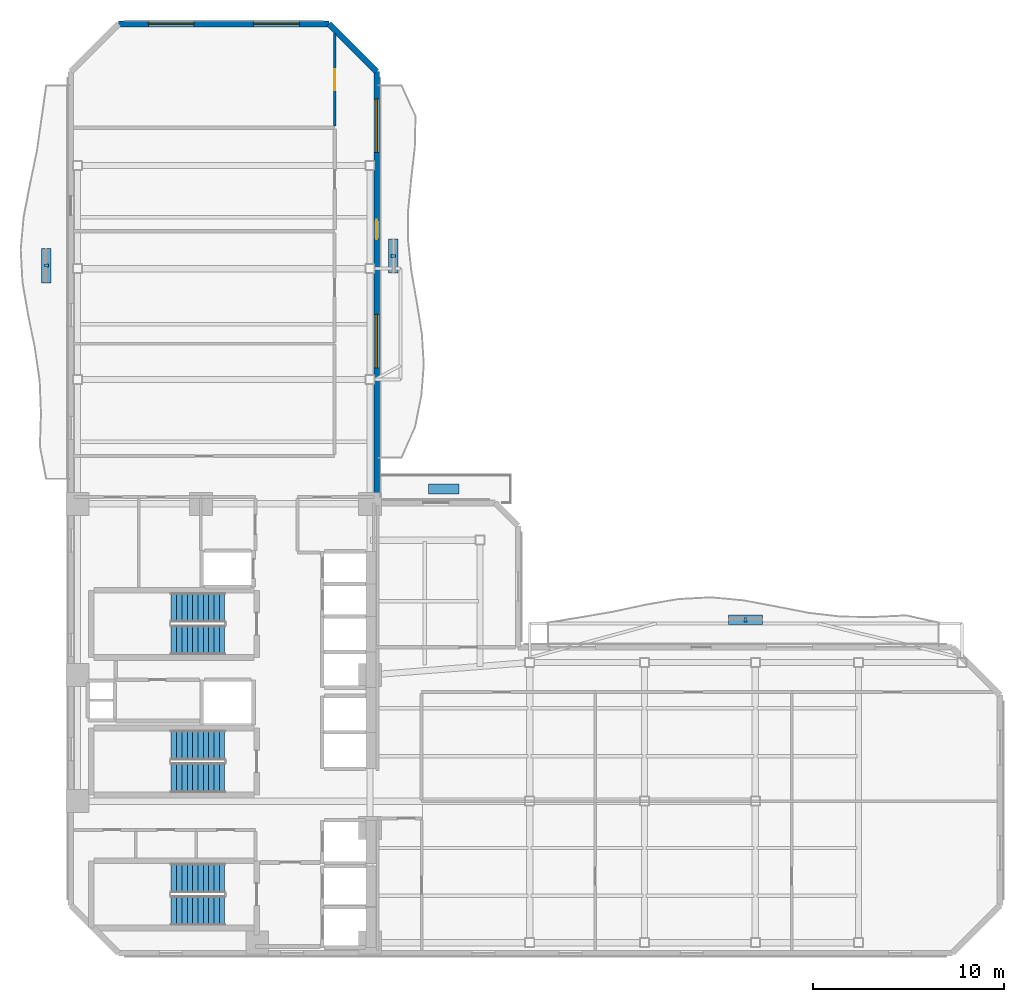
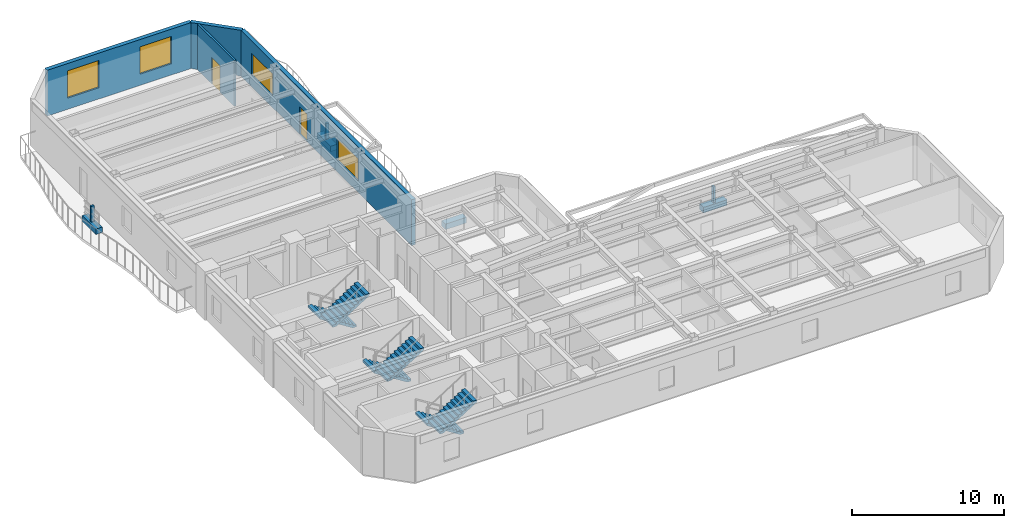
# One storey, part 6 of 12: 7 discrete accessories, 6 stair flights, 4 walls, 4 windows, 2 doors, 6 openings, 3 elements without a shape of their own.
"""IFC4 building model written with IfcOpenShell, lengths in metres."""

from ifc_helpers import new_model, si_unit, direction, frame, frame_2d, origin, origin_2d, place, context, subcontext, project, spatial, polyline, rectangle, outline, extrude, material, layer, layer_set, type_object, element, fill, aggregate, save


model = new_model("IFC4")

# Units and contexts
model_context = context("Model", 3, precision=1e-05, world=origin(), true_north=direction((0.0, 1.0)))
body_context = subcontext(model_context, "Body", "Model", "MODEL_VIEW")
ifc_project = project(units=[si_unit("LENGTHUNIT", "METRE"), si_unit("AREAUNIT", "SQUARE_METRE"), si_unit("VOLUMEUNIT", "CUBIC_METRE"), si_unit("PLANEANGLEUNIT", "RADIAN"), si_unit("MASSUNIT", "GRAM", prefix="KILO")], contexts=[model_context])

# Site, building, storey
site_placement = place(None, origin())
site = spatial("IfcSite", under=ifc_project, at=site_placement, CompositionType="ELEMENT")
building_placement = place(site_placement, origin())
building = spatial("IfcBuilding", under=site, at=building_placement, Name="Mawjaban Terraces University", CompositionType="ELEMENT")
storey_placement = place(building_placement, frame((0.0, 0.0, 150.199951171875)))
storey = spatial("IfcBuildingStorey", under=building, at=storey_placement, Name="L36", CompositionType="ELEMENT", Elevation=150.199951171875)

# Wall, openings, door, windows
ifc_material_1 = material(Name="Insulated terracotta rainscreen on concrete backup C40/50", Category="masonry")
ifc_layer_1 = layer(ifc_material_1, 0.300048828125)
ifc_layer_set_1 = layer_set([ifc_layer_1], Name="Insulated terracotta rainscreen on concrete backup C40/50")
wall_type_1 = type_object("IfcWallType", Name="ExtTerracottaWall_300", PredefinedType="SOLIDWALL", material=ifc_layer_set_1)
wall_1_placement = place(storey_placement, frame((38.0, 23.550048828125, 0.0), z_axis=(0.0, 0.0, 1.0), x_axis=(0.0, 1.0, 0.0)))
wall_1 = element("IfcWall", 1, at=wall_1_placement, inside=storey, type_object=wall_type_1, Name="L36 Exterior Terracotta Wall 9", PredefinedType="SOLIDWALL", context=body_context, shape_type="SweptSolid", body=[
    extrude(rectangle(XDim=22.550048828125, YDim=0.300048828125, at=frame_2d((11.27490234375, 0.0))), origin(), (0.0, 0.0, 1.0), 3.68994140625),
])
opening_1_placement = place(wall_1_placement, frame((13.800048828125, 0.0, 0.0)))
opening_1 = element("IfcOpeningElement", 2, at=opening_1_placement, cuts=wall_1, Name="Opening BD-100", PredefinedType="OPENING", context=body_context, shape_type="SweptSolid", body=[
    extrude(rectangle(XDim=1.0, YDim=2.199951171875, at=frame_2d((0.5, 1.10009765625))), frame((0.0, 0.159912109375, 0.0), z_axis=(0.0, -1.0, 0.0), x_axis=(1.0, 0.0, 0.0)), (0.0, 0.0, 1.0), 0.320068359375),
])
opening_2_placement = place(wall_1_placement, frame((7.055908203125, 0.0, 0.89990234375)))
opening_2 = element("IfcOpeningElement", 3, at=opening_2_placement, cuts=wall_1, Name="Opening W-09", PredefinedType="OPENING", context=body_context, shape_type="SweptSolid", body=[
    extrude(rectangle(XDim=2.800048828125, YDim=1.800048828125, at=frame_2d((1.39990234375, 0.89990234375))), frame((0.0, 0.159912109375, 0.0), z_axis=(0.0, -1.0, 0.0), x_axis=(1.0, 0.0, 0.0)), (0.0, 0.0, 1.0), 0.320068359375),
])
opening_3_placement = place(wall_1_placement, frame((18.3310546875, 0.0, 0.89990234375)))
opening_3 = element("IfcOpeningElement", 4, at=opening_3_placement, cuts=wall_1, Name="Opening W-09", PredefinedType="OPENING", context=body_context, shape_type="SweptSolid", body=[
    extrude(rectangle(XDim=2.800048828125, YDim=1.800048828125, at=frame_2d((1.39990234375, 0.89990234375))), frame((0.0, 0.159912109375, 0.0), z_axis=(0.0, -1.0, 0.0), x_axis=(1.0, 0.0, 0.0)), (0.0, 0.0, 1.0), 0.320068359375),
])
ifc_material_2 = material(Name="Thermally broken anodised aluminium and laminated safety glass", Category="aluminium")
door_type_1 = type_object("IfcDoorType", Name="BalconyGlazedDoor_1000x2200", OperationType="NOTDEFINED", PredefinedType="DOOR", material=ifc_material_2)
door_1_placement = place(opening_1_placement, origin())
door_1 = element("IfcDoor", 5, at=door_1_placement, inside=storey, type_object=door_type_1, Name="L36 Balcony Access Door inner_east", OperationType="SINGLE_SWING_LEFT", OverallHeight=2.199951171875, OverallWidth=1.0, PredefinedType="DOOR", context=body_context, shape_type="SweptSolid", body=[
    extrude(rectangle(XDim=1.0, YDim=2.199951171875, at=frame_2d((0.5, 1.10009765625))), frame((0.0, 0.02490234375, 0.0), z_axis=(0.0, -1.0, 0.0), x_axis=(1.0, 0.0, 0.0)), (0.0, 0.0, 1.0), 0.050048828125),
])
fill(opening_1, door_1)
ifc_material_3 = material(Name="Low-E solar-control double glazing in thermally broken aluminium frame", Category="aluminium")
window_type_1 = type_object("IfcWindowType", Name="Win_2800x1800", PartitioningType="SINGLE_PANEL", PredefinedType="WINDOW", material=ifc_material_3)
window_1_placement = place(opening_2_placement, origin())
window_1 = element("IfcWindow", 6, at=window_1_placement, inside=storey, type_object=window_type_1, Name="L36 Facade Window 9.2", OverallHeight=1.800048828125, OverallWidth=2.800048828125, PartitioningType="SINGLE_PANEL", PredefinedType="WINDOW", context=body_context, shape_type="SweptSolid", body=[
    extrude(rectangle(XDim=2.800048828125, YDim=1.800048828125, at=frame_2d((1.39990234375, 0.89990234375))), frame((0.0, 0.030029296875, 0.0), z_axis=(0.0, -1.0, 0.0), x_axis=(1.0, 0.0, 0.0)), (0.0, 0.0, 1.0), 0.06005859375),
])
fill(opening_2, window_1)
window_2_placement = place(opening_3_placement, origin())
window_2 = element("IfcWindow", 7, at=window_2_placement, inside=storey, type_object=window_type_1, Name="L36 Facade Window 9.4", OverallHeight=1.800048828125, OverallWidth=2.800048828125, PartitioningType="SINGLE_PANEL", PredefinedType="WINDOW", context=body_context, shape_type="SweptSolid", body=[
    extrude(rectangle(XDim=2.800048828125, YDim=1.800048828125, at=frame_2d((1.39990234375, 0.89990234375))), frame((0.0, 0.030029296875, 0.0), z_axis=(0.0, -1.0, 0.0), x_axis=(1.0, 0.0, 0.0)), (0.0, 0.0, 1.0), 0.06005859375),
])
fill(opening_3, window_2)

# Wall
wall_2_placement = place(storey_placement, frame((38.0, 46.10009765625, 0.0), z_axis=(0.0, 0.0, 1.0), x_axis=(-0.707106781187, 0.707106781187, 0.0)))
element("IfcWall", 8, at=wall_2_placement, inside=storey, type_object=wall_type_1, Name="L36 Exterior Terracotta Wall 10", PredefinedType="SOLIDWALL", context=body_context, shape_type="SweptSolid", body=[
    extrude(rectangle(XDim=3.53564453125, YDim=0.300048828125, at=frame_2d((1.767822265625, 0.0))), origin(), (0.0, 0.0, 1.0), 3.68994140625),
])

# Wall, openings, windows
wall_3_placement = place(storey_placement, frame((35.5, 48.60009765625, 0.0), z_axis=(0.0, 0.0, 1.0), x_axis=(-1.0, 0.0, 0.0)))
wall_3 = element("IfcWall", 9, at=wall_3_placement, inside=storey, type_object=wall_type_1, Name="L36 Exterior Terracotta Wall 11", PredefinedType="SOLIDWALL", context=body_context, shape_type="SweptSolid", body=[
    extrude(rectangle(XDim=11.0, YDim=0.300048828125, at=frame_2d((5.5, 0.0))), origin(), (0.0, 0.0, 1.0), 3.68994140625),
])
opening_4_placement = place(wall_3_placement, frame((1.550048828125, 0.0, 0.89990234375)))
opening_4 = element("IfcOpeningElement", 10, at=opening_4_placement, cuts=wall_3, Name="Opening W-11", PredefinedType="OPENING", context=body_context, shape_type="SweptSolid", body=[
    extrude(rectangle(XDim=2.39990234375, YDim=2.199951171875, at=frame_2d((1.199951171875, 1.10009765625))), frame((0.0, 0.159912109375, 0.0), z_axis=(0.0, -1.0, 0.0), x_axis=(1.0, 0.0, 0.0)), (0.0, 0.0, 1.0), 0.320068359375),
])
opening_5_placement = place(wall_3_placement, frame((7.050048828125, 0.0, 0.89990234375)))
opening_5 = element("IfcOpeningElement", 11, at=opening_5_placement, cuts=wall_3, Name="Opening W-11", PredefinedType="OPENING", context=body_context, shape_type="SweptSolid", body=[
    extrude(rectangle(XDim=2.39990234375, YDim=2.199951171875, at=frame_2d((1.199951171875, 1.10009765625))), frame((0.0, 0.159912109375, 0.0), z_axis=(0.0, -1.0, 0.0), x_axis=(1.0, 0.0, 0.0)), (0.0, 0.0, 1.0), 0.320068359375),
])
window_type_2 = type_object("IfcWindowType", Name="Win_2400x2200", PartitioningType="SINGLE_PANEL", PredefinedType="WINDOW", material=ifc_material_3)
window_3_placement = place(opening_4_placement, origin())
window_3 = element("IfcWindow", 12, at=window_3_placement, inside=storey, type_object=window_type_2, Name="L36 Facade Window 11.1", OverallHeight=2.199951171875, OverallWidth=2.39990234375, PartitioningType="SINGLE_PANEL", PredefinedType="WINDOW", context=body_context, shape_type="SweptSolid", body=[
    extrude(rectangle(XDim=2.39990234375, YDim=2.199951171875, at=frame_2d((1.199951171875, 1.10009765625))), frame((0.0, 0.030029296875, 0.0), z_axis=(0.0, -1.0, 0.0), x_axis=(1.0, 0.0, 0.0)), (0.0, 0.0, 1.0), 0.06005859375),
])
fill(opening_4, window_3)
window_4_placement = place(opening_5_placement, origin())
window_4 = element("IfcWindow", 13, at=window_4_placement, inside=storey, type_object=window_type_2, Name="L36 Facade Window 11.2", OverallHeight=2.199951171875, OverallWidth=2.39990234375, PartitioningType="SINGLE_PANEL", PredefinedType="WINDOW", context=body_context, shape_type="SweptSolid", body=[
    extrude(rectangle(XDim=2.39990234375, YDim=2.199951171875, at=frame_2d((1.199951171875, 1.10009765625))), frame((0.0, 0.030029296875, 0.0), z_axis=(0.0, -1.0, 0.0), x_axis=(1.0, 0.0, 0.0)), (0.0, 0.0, 1.0), 0.06005859375),
])
fill(opening_5, window_4)

# Wall, opening, door
ifc_material_4 = material(Name="Moisture-resistant gypsum board on steel stud", Category="steel")
ifc_layer_2 = layer(ifc_material_4, 0.14501953125)
ifc_layer_set_2 = layer_set([ifc_layer_2], Name="Moisture-resistant gypsum board on steel stud")
wall_type_2 = type_object("IfcWallType", Name="LabPartition_145", PredefinedType="PARTITIONING", material=ifc_layer_set_2)
wall_4_placement = place(storey_placement, frame((35.800048828125, 48.094970703125, 0.0), z_axis=(0.0, 0.0, 1.0), x_axis=(0.0, -1.0, 0.0)))
wall_4 = element("IfcWall", 14, at=wall_4_placement, inside=storey, type_object=wall_type_2, Name="L36 Inner Terrace Gallery Corridor North Partition 37", PredefinedType="PARTITIONING", context=body_context, shape_type="SweptSolid", body=[
    extrude(rectangle(XDim=4.830078125, YDim=0.14501953125, at=frame_2d((2.4150390625, 0.0))), origin(), (0.0, 0.0, 1.0), 3.68994140625),
])
opening_6_placement = place(wall_4_placement, frame((1.864990234375, 0.0, 0.0)))
opening_6 = element("IfcOpeningElement", 15, at=opening_6_placement, cuts=wall_4, Name="Opening ID-110", PredefinedType="OPENING", context=body_context, shape_type="SweptSolid", body=[
    extrude(rectangle(XDim=1.10009765625, YDim=2.14990234375, at=frame_2d((0.550048828125, 1.074951171875))), frame((0.0, 0.08251953125, 0.0), z_axis=(0.0, -1.0, 0.0), x_axis=(1.0, 0.0, 0.0)), (0.0, 0.0, 1.0), 0.1650390625),
])
ifc_material_5 = material(Name="Powder-coated steel frame and solid acoustic timber leaf", Category="steel")
door_type_2 = type_object("IfcDoorType", Name="LabDoor_1100x2150", OperationType="NOTDEFINED", PredefinedType="DOOR", material=ifc_material_5)
door_2_placement = place(opening_6_placement, origin())
door_2 = element("IfcDoor", 16, at=door_2_placement, inside=storey, type_object=door_type_2, Name="L36 Teaching Laboratory 11 Door", OperationType="SINGLE_SWING_LEFT", OverallHeight=2.14990234375, OverallWidth=1.10009765625, PredefinedType="DOOR", context=body_context, shape_type="SweptSolid", body=[
    extrude(rectangle(XDim=1.10009765625, YDim=2.14990234375, at=frame_2d((0.550048828125, 1.074951171875))), frame((0.0, 0.02490234375, 0.0), z_axis=(0.0, -1.0, 0.0), x_axis=(1.0, 0.0, 0.0)), (0.0, 0.0, 1.0), 0.050048828125),
])
fill(opening_6, door_2)

# Stair, stair flights
ifc_material_6 = material(Name="Concrete C40/50", Category="concrete")
stair_type = type_object("IfcStairType", Name="Stair_Core1550_H39", PredefinedType="HALF_TURN_STAIR", material=ifc_material_6)
stair_1_placement = place(storey_placement, origin())
stair_1 = element("IfcStair", 17, at=stair_1_placement, inside=storey, type_object=stair_type, Name="L36 Core Exit Stair 1", PredefinedType="HALF_TURN_STAIR")
stair_flight_type = type_object("IfcStairFlightType", Name="Flight_Core1550_H39", PredefinedType="STRAIGHT", material=ifc_material_6)
stair_flight_1_placement = place(storey_placement, frame((30.050048828125, 3.925048828125, 0.0), z_axis=(0.0, 0.0, 1.0), x_axis=(-1.0, 0.0, 0.0)))
stair_flight_1 = element("IfcStairFlight", 18, at=stair_flight_1_placement, type_object=stair_flight_type, Name="ST-1 flight 1", NumberOfRisers=11, NumberOfTreads=10, PredefinedType="STRAIGHT", RiserHeight=0.177272727, TreadLength=0.28, context=body_context, shape_type="SweptSolid", body=[
    extrude(outline(polyline([(0.0, 0.0), (0.0, 0.17724609375), (0.280029296875, 0.17724609375), (0.280029296875, 0.3544921875), (0.56005859375, 0.3544921875), (0.56005859375, 0.53173828125), (0.840087890625, 0.53173828125), (0.840087890625, 0.708984375), (1.1201171875, 0.708984375), (1.1201171875, 0.886474609375), (1.39990234375, 0.886474609375), (1.39990234375, 1.063720703125), (1.679931640625, 1.063720703125), (1.679931640625, 1.240966796875), (1.9599609375, 1.240966796875), (1.9599609375, 1.418212890625), (2.239990234375, 1.418212890625), (2.239990234375, 1.595458984375), (2.52001953125, 1.595458984375), (2.52001953125, 1.772705078125), (2.800048828125, 1.772705078125), (2.800048828125, 1.949951171875), (2.800048828125, 1.59521484375), (0.2802734375, 0.0), (0.0, 0.0)])), frame((0.0, 0.77490234375, 0.0), z_axis=(0.0, -1.0, 0.0), x_axis=(1.0, 0.0, 0.0)), (0.0, 0.0, 1.0), 1.550048828125),
])
stair_flight_2_placement = place(storey_placement, frame((27.25, 2.22509765625, 1.949951171875), z_axis=(0.0, 0.0, 1.0), x_axis=(1.0, 0.0, 0.0)))
stair_flight_2 = element("IfcStairFlight", 19, at=stair_flight_2_placement, type_object=stair_flight_type, Name="ST-1 flight 2", NumberOfRisers=11, NumberOfTreads=10, PredefinedType="STRAIGHT", RiserHeight=0.177272727, TreadLength=0.28, context=body_context, shape_type="SweptSolid", body=[
    extrude(outline(polyline([(0.0, 0.0), (0.0, 0.17724609375), (0.280029296875, 0.17724609375), (0.280029296875, 0.3544921875), (0.56005859375, 0.3544921875), (0.56005859375, 0.53173828125), (0.840087890625, 0.53173828125), (0.840087890625, 0.708984375), (1.1201171875, 0.708984375), (1.1201171875, 0.886474609375), (1.39990234375, 0.886474609375), (1.39990234375, 1.063720703125), (1.679931640625, 1.063720703125), (1.679931640625, 1.240966796875), (1.9599609375, 1.240966796875), (1.9599609375, 1.418212890625), (2.239990234375, 1.418212890625), (2.239990234375, 1.595458984375), (2.52001953125, 1.595458984375), (2.52001953125, 1.772705078125), (2.800048828125, 1.772705078125), (2.800048828125, 1.949951171875), (2.800048828125, 1.59521484375), (0.2802734375, 0.0), (0.0, 0.0)])), frame((0.0, 0.77490234375, 0.0), z_axis=(0.0, -1.0, 0.0), x_axis=(1.0, 0.0, 0.0)), (0.0, 0.0, 1.0), 1.550048828125),
])
aggregate(stair_1, [stair_flight_1, stair_flight_2])

stair_2_placement = place(storey_placement, origin())
stair_2 = element("IfcStair", 20, at=stair_2_placement, inside=storey, type_object=stair_type, Name="L36 Core Exit Stair 2", PredefinedType="HALF_TURN_STAIR")
stair_flight_3_placement = place(storey_placement, frame((30.050048828125, 18.074951171875, 0.0), z_axis=(0.0, 0.0, 1.0), x_axis=(-1.0, 0.0, 0.0)))
stair_flight_3 = element("IfcStairFlight", 21, at=stair_flight_3_placement, type_object=stair_flight_type, Name="ST-2 flight 1", NumberOfRisers=11, NumberOfTreads=10, PredefinedType="STRAIGHT", RiserHeight=0.177272727, TreadLength=0.28, context=body_context, shape_type="SweptSolid", body=[
    extrude(outline(polyline([(0.0, 0.0), (0.0, 0.17724609375), (0.280029296875, 0.17724609375), (0.280029296875, 0.3544921875), (0.56005859375, 0.3544921875), (0.56005859375, 0.53173828125), (0.840087890625, 0.53173828125), (0.840087890625, 0.708984375), (1.1201171875, 0.708984375), (1.1201171875, 0.886474609375), (1.39990234375, 0.886474609375), (1.39990234375, 1.063720703125), (1.679931640625, 1.063720703125), (1.679931640625, 1.240966796875), (1.9599609375, 1.240966796875), (1.9599609375, 1.418212890625), (2.239990234375, 1.418212890625), (2.239990234375, 1.595458984375), (2.52001953125, 1.595458984375), (2.52001953125, 1.772705078125), (2.800048828125, 1.772705078125), (2.800048828125, 1.949951171875), (2.800048828125, 1.59521484375), (0.2802734375, 0.0), (0.0, 0.0)])), frame((0.0, 0.77490234375, 0.0), z_axis=(0.0, -1.0, 0.0), x_axis=(1.0, 0.0, 0.0)), (0.0, 0.0, 1.0), 1.550048828125),
])
stair_flight_4_placement = place(storey_placement, frame((27.25, 16.375, 1.949951171875), z_axis=(0.0, 0.0, 1.0), x_axis=(1.0, 0.0, 0.0)))
stair_flight_4 = element("IfcStairFlight", 22, at=stair_flight_4_placement, type_object=stair_flight_type, Name="ST-2 flight 2", NumberOfRisers=11, NumberOfTreads=10, PredefinedType="STRAIGHT", RiserHeight=0.177272727, TreadLength=0.28, context=body_context, shape_type="SweptSolid", body=[
    extrude(outline(polyline([(0.0, 0.0), (0.0, 0.17724609375), (0.280029296875, 0.17724609375), (0.280029296875, 0.3544921875), (0.56005859375, 0.3544921875), (0.56005859375, 0.53173828125), (0.840087890625, 0.53173828125), (0.840087890625, 0.708984375), (1.1201171875, 0.708984375), (1.1201171875, 0.886474609375), (1.39990234375, 0.886474609375), (1.39990234375, 1.063720703125), (1.679931640625, 1.063720703125), (1.679931640625, 1.240966796875), (1.9599609375, 1.240966796875), (1.9599609375, 1.418212890625), (2.239990234375, 1.418212890625), (2.239990234375, 1.595458984375), (2.52001953125, 1.595458984375), (2.52001953125, 1.772705078125), (2.800048828125, 1.772705078125), (2.800048828125, 1.949951171875), (2.800048828125, 1.59521484375), (0.2802734375, 0.0), (0.0, 0.0)])), frame((0.0, 0.77490234375, 0.0), z_axis=(0.0, -1.0, 0.0), x_axis=(1.0, 0.0, 0.0)), (0.0, 0.0, 1.0), 1.550048828125),
])
aggregate(stair_2, [stair_flight_3, stair_flight_4])

stair_3_placement = place(storey_placement, origin())
stair_3 = element("IfcStair", 23, at=stair_3_placement, inside=storey, type_object=stair_type, Name="L36 Core Exit Stair 3", PredefinedType="HALF_TURN_STAIR")
stair_flight_5_placement = place(storey_placement, frame((30.050048828125, 10.875, 0.0), z_axis=(0.0, 0.0, 1.0), x_axis=(-1.0, 0.0, 0.0)))
stair_flight_5 = element("IfcStairFlight", 24, at=stair_flight_5_placement, type_object=stair_flight_type, Name="ST-3 flight 1", NumberOfRisers=11, NumberOfTreads=10, PredefinedType="STRAIGHT", RiserHeight=0.177272727, TreadLength=0.28, context=body_context, shape_type="SweptSolid", body=[
    extrude(outline(polyline([(0.0, 0.0), (0.0, 0.17724609375), (0.280029296875, 0.17724609375), (0.280029296875, 0.3544921875), (0.56005859375, 0.3544921875), (0.56005859375, 0.53173828125), (0.840087890625, 0.53173828125), (0.840087890625, 0.708984375), (1.1201171875, 0.708984375), (1.1201171875, 0.886474609375), (1.39990234375, 0.886474609375), (1.39990234375, 1.063720703125), (1.679931640625, 1.063720703125), (1.679931640625, 1.240966796875), (1.9599609375, 1.240966796875), (1.9599609375, 1.418212890625), (2.239990234375, 1.418212890625), (2.239990234375, 1.595458984375), (2.52001953125, 1.595458984375), (2.52001953125, 1.772705078125), (2.800048828125, 1.772705078125), (2.800048828125, 1.949951171875), (2.800048828125, 1.59521484375), (0.2802734375, 0.0), (0.0, 0.0)])), frame((0.0, 0.77490234375, 0.0), z_axis=(0.0, -1.0, 0.0), x_axis=(1.0, 0.0, 0.0)), (0.0, 0.0, 1.0), 1.550048828125),
])
stair_flight_6_placement = place(storey_placement, frame((27.25, 9.175048828125, 1.949951171875), z_axis=(0.0, 0.0, 1.0), x_axis=(1.0, 0.0, 0.0)))
stair_flight_6 = element("IfcStairFlight", 25, at=stair_flight_6_placement, type_object=stair_flight_type, Name="ST-3 flight 2", NumberOfRisers=11, NumberOfTreads=10, PredefinedType="STRAIGHT", RiserHeight=0.177272727, TreadLength=0.28, context=body_context, shape_type="SweptSolid", body=[
    extrude(outline(polyline([(0.0, 0.0), (0.0, 0.17724609375), (0.280029296875, 0.17724609375), (0.280029296875, 0.3544921875), (0.56005859375, 0.3544921875), (0.56005859375, 0.53173828125), (0.840087890625, 0.53173828125), (0.840087890625, 0.708984375), (1.1201171875, 0.708984375), (1.1201171875, 0.886474609375), (1.39990234375, 0.886474609375), (1.39990234375, 1.063720703125), (1.679931640625, 1.063720703125), (1.679931640625, 1.240966796875), (1.9599609375, 1.240966796875), (1.9599609375, 1.418212890625), (2.239990234375, 1.418212890625), (2.239990234375, 1.595458984375), (2.52001953125, 1.595458984375), (2.52001953125, 1.772705078125), (2.800048828125, 1.772705078125), (2.800048828125, 1.949951171875), (2.800048828125, 1.59521484375), (0.2802734375, 0.0), (0.0, 0.0)])), frame((0.0, 0.77490234375, 0.0), z_axis=(0.0, -1.0, 0.0), x_axis=(1.0, 0.0, 0.0)), (0.0, 0.0, 1.0), 1.550048828125),
])
aggregate(stair_3, [stair_flight_5, stair_flight_6])

# Discrete accessories
ifc_material_7 = material(Name="Stainless steel 316L", Category="steel")
discrete_accessory_type_1 = type_object("IfcDiscreteAccessoryType", Name="FacadeScreenBracket_Steel", PredefinedType="BRACKET", material=ifc_material_7)
for number, where, z_axis, x_axis, name in (
    (26, (20.7109375, 35.958984375, 0.419921875), (0.0, 0.0, 1.0), (0.0, 1.0, 0.0), "L36 Balcony Screen Support Bracket west"),
    (27, (57.284912109375, 17.43896484375, 0.419921875), (0.0, 0.0, 1.0), (1.0, 0.0, 0.0), "L36 Balcony Screen Support Bracket inner_north"),
    (28, (38.863037109375, 36.4619140625, 0.419921875), (0.0, 0.0, 1.0), (0.0, 1.0, 0.0), "L36 Balcony Screen Support Bracket inner_east"),
):
    element("IfcDiscreteAccessory", number, at=place(storey_placement, frame(where, z_axis=z_axis, x_axis=x_axis)), inside=storey, type_object=discrete_accessory_type_1, Name=name, PredefinedType="BRACKET", context=body_context, shape_type="SweptSolid", body=[
        extrude(rectangle(XDim=0.159912109375, YDim=0.239990234375, at=origin_2d()), origin(), (0.0, 0.0, 1.0), 1.300048828125),
    ])
ifc_material_8 = material(Name="Precast architectural terracotta planter with engineered planting soil", Category="masonry")
discrete_accessory_type_2 = type_object("IfcDiscreteAccessoryType", Name="IrrigatedPlanterTrough_450", PredefinedType="USERDEFINED", material=ifc_material_8)
for number, where, z_axis, x_axis, name in (
    (29, (20.7109375, 35.958984375, -0.0048828125), (0.0, 0.0, 1.0), (0.0, 1.0, 0.0), "L36 Balcony Irrigated Planter west"),
    (30, (57.284912109375, 17.43896484375, -0.0048828125), (0.0, 0.0, 1.0), (1.0, 0.0, 0.0), "L36 Balcony Irrigated Planter inner_north"),
    (31, (38.863037109375, 36.4619140625, -0.0048828125), (0.0, 0.0, 1.0), (0.0, 1.0, 0.0), "L36 Balcony Irrigated Planter inner_east"),
):
    element("IfcDiscreteAccessory", number, at=place(storey_placement, frame(where, z_axis=z_axis, x_axis=x_axis)), inside=storey, type_object=discrete_accessory_type_2, Name=name, ObjectType="PLANTER", PredefinedType="USERDEFINED", context=body_context, shape_type="SweptSolid", body=[
        extrude(rectangle(XDim=1.800048828125, YDim=0.5, at=origin_2d()), origin(), (0.0, 0.0, 1.0), 0.449951171875),
    ])
discrete_accessory_placement = place(storey_placement, frame((41.4970703125, 24.27490234375, -0.0048828125), z_axis=(0.0, 0.0, 1.0), x_axis=(1.0, 0.0, 0.0)))
element("IfcDiscreteAccessory", 32, at=discrete_accessory_placement, inside=storey, type_object=discrete_accessory_type_2, Name="L36 Terrace Planter TER-L36-CLIMB", ObjectType="PLANTER", PredefinedType="USERDEFINED", context=body_context, shape_type="SweptSolid", body=[
    extrude(rectangle(XDim=1.60009765625, YDim=0.5, at=origin_2d()), origin(), (0.0, 0.0, 1.0), 0.449951171875),
])

save(model, "model.ifc")
